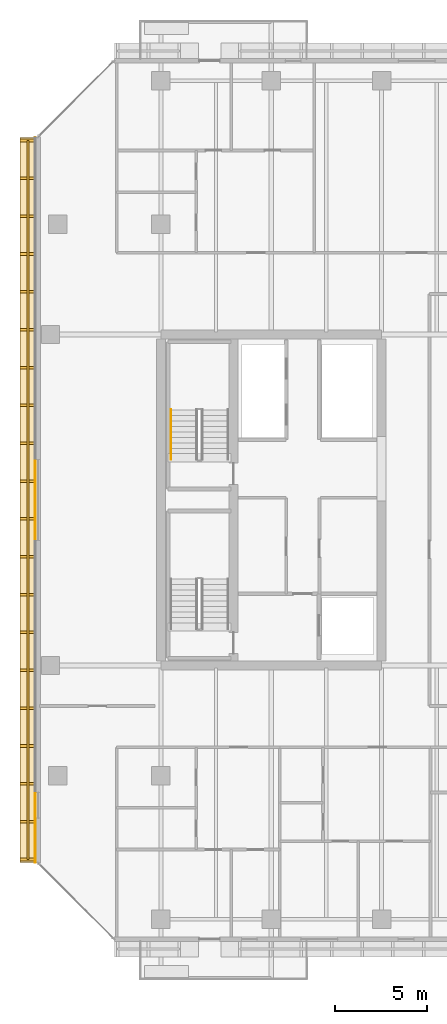
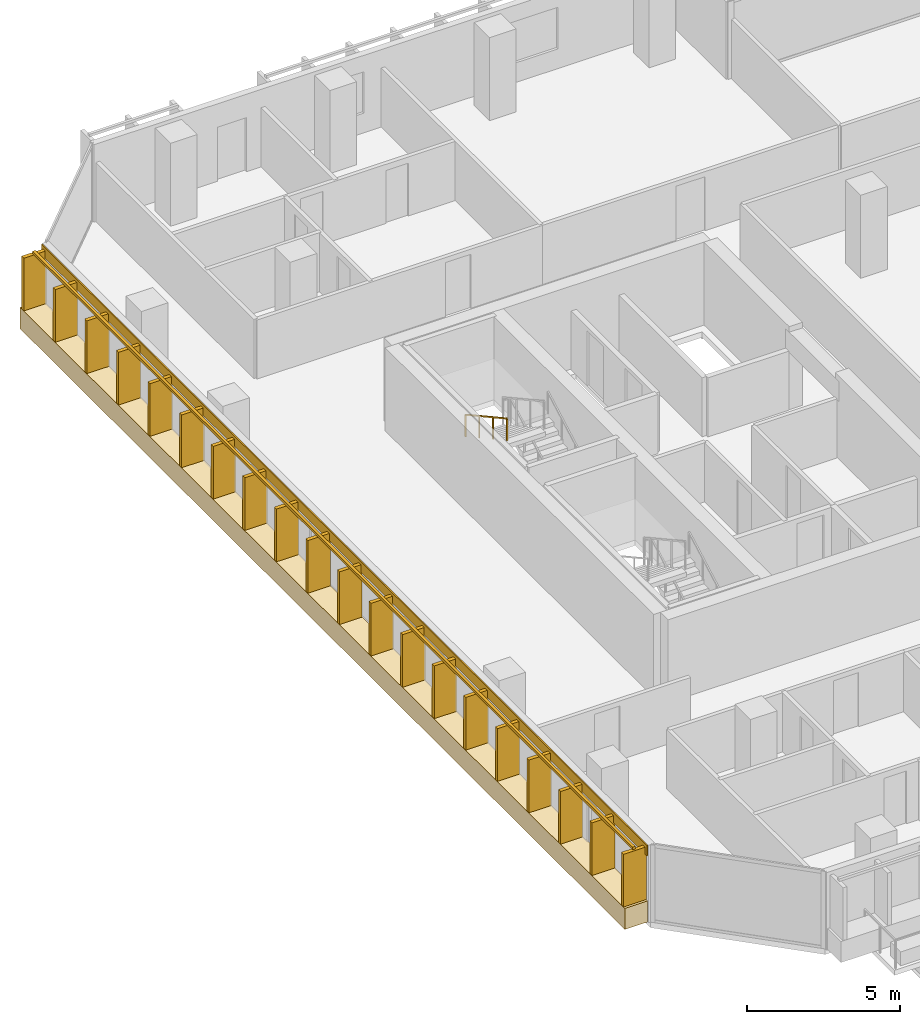
# One storey, part 31 of 35: 2 coverings, 2 railings.
"""IFC4 building model written with IfcOpenShell, lengths in metres."""

import ifcopenshell
import ifcopenshell.guid

model = None  # the IFC model being written
_history = None  # IfcOwnerHistory: only IFC2X3 demands one
_inside = {}  # id of a spatial element -> (the spatial element, [elements in it])
_under = {}  # id of a project, library or spatial element -> (it, [spatial elements below it])
_declared = {}  # id of a project -> (the project, [libraries it declares])
_typed = {}  # id of a type object -> (the type object, [elements of that type])
_made_of = {}  # id of a material, layer set ... -> (it, [elements and type objects made of it])


def new_model(schema):
    """Start an empty IFC model of exactly this schema.

    Asked for "IFC4X3", IfcOpenShell would pick the latest addendum, in which some entities
    have other attributes; the version numbers below select the first issue.
    IFC2X3 requires an IfcOwnerHistory on every rooted entity: one is made here for all.
    """
    global model, _history
    if schema == "IFC4X3":
        model = ifcopenshell.file(schema_version=(4, 3, 0, 0))
    else:
        model = ifcopenshell.file(schema=schema)
    _inside.clear()
    _under.clear()
    _declared.clear()
    _typed.clear()
    _made_of.clear()
    _history = None
    if model.schema == "IFC2X3":
        org = make("IfcOrganization", Name="unknown")
        user = make(
            "IfcPersonAndOrganization",
            ThePerson=make("IfcPerson", FamilyName="unknown"),
            TheOrganization=org,
        )
        app = make(
            "IfcApplication",
            ApplicationDeveloper=org,
            Version="unknown",
            ApplicationFullName="unknown",
            ApplicationIdentifier="unknown",
        )
        _history = make(
            "IfcOwnerHistory",
            OwningUser=user,
            OwningApplication=app,
            ChangeAction="ADDED",
            CreationDate=0,
        )
    return model


def make(cls, **values):
    """One entity of the class cls with the attributes given. An attribute that is None is left unset."""
    return model.create_entity(
        cls, **{name: value for name, value in values.items() if value is not None}
    )


def rooted(cls, **values):
    """An entity with a GlobalId (a new one), such as an element, a storey or a relation."""
    return make(cls, GlobalId=ifcopenshell.guid.new(), OwnerHistory=_history, **values)


def si_unit(unit_type, name, prefix=None):
    """IfcSIUnit, for example si_unit("LENGTHUNIT", "METRE", prefix="MILLI")."""
    return make("IfcSIUnit", UnitType=unit_type, Prefix=prefix, Name=name)


def assignment(units):
    """IfcUnitAssignment: the units of a project."""
    return None if units is None else make("IfcUnitAssignment", Units=units)


def point(xyz):
    """IfcCartesianPoint."""
    return None if xyz is None else make("IfcCartesianPoint", Coordinates=xyz)


def direction(xyz):
    """IfcDirection."""
    return None if xyz is None else make("IfcDirection", DirectionRatios=xyz)


def frame(location, z_axis=None, x_axis=None):
    """IfcAxis2Placement3D, a coordinate frame: its origin and axes. An axis left out is left unset."""
    return make(
        "IfcAxis2Placement3D",
        Location=point(location),
        Axis=direction(z_axis),
        RefDirection=direction(x_axis),
    )


def frame_2d(location, x_axis=None):
    """IfcAxis2Placement2D, a coordinate frame in the plane: its origin and x axis."""
    return make(
        "IfcAxis2Placement2D", Location=point(location), RefDirection=direction(x_axis)
    )


def origin():
    """The frame at (0, 0, 0) with its axes left unset."""
    return frame((0.0, 0.0, 0.0))


def origin_2d():
    """The frame at (0, 0) in the plane with its x axis left unset."""
    return frame_2d((0.0, 0.0))


def place(relative_to, where):
    """IfcLocalPlacement: puts the frame where relative to a parent placement (None: the world)."""
    return make(
        "IfcLocalPlacement", PlacementRelTo=relative_to, RelativePlacement=where
    )


def context(
    kind, dimensions, precision=None, world=None, true_north=None, identifier=None
):
    """IfcGeometricRepresentationContext, for example the 3D "Model" context."""
    return make(
        "IfcGeometricRepresentationContext",
        ContextIdentifier=identifier,
        ContextType=kind,
        CoordinateSpaceDimension=dimensions,
        Precision=precision,
        WorldCoordinateSystem=world,
        TrueNorth=true_north,
    )


def subcontext(parent, identifier, kind, view, scale=None):
    """IfcGeometricRepresentationSubContext, for example "Body" below "Model"."""
    return make(
        "IfcGeometricRepresentationSubContext",
        ContextIdentifier=identifier,
        ContextType=kind,
        ParentContext=parent,
        TargetScale=scale,
        TargetView=view,
    )


def project(units=None, contexts=None):
    """IfcProject with its units and contexts."""
    return rooted(
        "IfcProject",
        Name="project",
        RepresentationContexts=contexts,
        UnitsInContext=assignment(units),
    )


def spatial(cls, under=None, at=None, **own):
    """A site, building, storey or space (cls), placed at a placement, below another one or the project."""
    s = rooted(cls, ObjectPlacement=at, **own)
    if under is not None:
        _under.setdefault(under.id(), (under, []))[1].append(s)
    return s


def profile(cls, at=None, kind="AREA", **sizes):
    """A parametric profile (cls). Its sizes go by their IFC names, for example OverallWidth=200.0."""
    return make(cls, ProfileType=kind, Position=at, **sizes)


def rectangle(**sizes):
    """IfcRectangleProfileDef."""
    return profile("IfcRectangleProfileDef", **sizes)


def extrude(swept, where, along, depth):
    """IfcExtrudedAreaSolid: the profile swept, set in the frame where, extruded along a direction by depth."""
    return make(
        "IfcExtrudedAreaSolid",
        SweptArea=swept,
        Position=where,
        ExtrudedDirection=direction(along),
        Depth=depth,
    )


def shape(context_of_items, identifier, shape_type, items):
    """IfcShapeRepresentation: the items that make up one representation, for example the "Body"."""
    return make(
        "IfcShapeRepresentation",
        ContextOfItems=context_of_items,
        RepresentationIdentifier=identifier,
        RepresentationType=shape_type,
        Items=items,
    )


def material(Name=None, Category=None):
    """IfcMaterial."""
    return make("IfcMaterial", Name=Name, Category=Category)


def layer(
    of_material, thickness, ventilated=None, Name=None, Category=None, Priority=None
):
    """IfcMaterialLayer: one layer of a wall or slab, of a material (None: an air gap)."""
    return make(
        "IfcMaterialLayer",
        Material=of_material,
        LayerThickness=thickness,
        IsVentilated=ventilated,
        Name=Name,
        Category=Category,
        Priority=Priority,
    )


def layer_set(layers, Name=None):
    """IfcMaterialLayerSet."""
    return make("IfcMaterialLayerSet", MaterialLayers=layers, LayerSetName=Name)


def made_of(thing, what):
    """Note that an element or type object is made of a material, layer set ...; save() writes the relation."""
    if what is not None:
        _made_of.setdefault(what.id(), (what, []))[1].append(thing)
    return thing


def type_object(cls, material=None, **own):
    """A type object (cls), such as IfcWallType, which elements share."""
    return made_of(rooted(cls, **own), material)


def element(
    cls,
    number,
    at=None,
    inside=None,
    cuts=None,
    type_object=None,
    material=None,
    context=None,
    identifier="Body",
    shape_type=None,
    held_by="IfcProductDefinitionShape",
    body=None,
    shapes=None,
    **own,
):
    """One element of the class cls, such as IfcWall. Its Tag is "e" and its number.

    at: its placement. inside: the storey or other place that contains it. cuts: it is an
    opening in that element (IfcRelVoidsElement). A single representation is given by context,
    identifier, shape_type and body (its items); several are given by shapes. held_by: the class
    of the entity that holds the representations. save() writes the other relations.
    """
    e = rooted(cls, Tag="e%d" % number, ObjectPlacement=at, **own)
    if body is not None:
        shapes = [shape(context, identifier, shape_type, body)]
    if shapes is not None:
        e.Representation = make(held_by, Representations=shapes)
    if inside is not None:
        _inside.setdefault(inside.id(), (inside, []))[1].append(e)
    if cuts is not None:
        rooted(
            "IfcRelVoidsElement", RelatingBuildingElement=cuts, RelatedOpeningElement=e
        )
    if type_object is not None:
        _typed.setdefault(type_object.id(), (type_object, []))[1].append(e)
    return made_of(e, material)


def aggregate(whole, parts):
    """IfcRelAggregates: a whole, such as a stair, and the parts it consists of."""
    return rooted("IfcRelAggregates", RelatingObject=whole, RelatedObjects=parts)


def save(model, path):
    """Write the relations noted so far, then the file.

    IfcRelAggregates (storeys below a building ...), IfcRelContainedInSpatialStructure (elements
    in a storey), IfcRelDefinesByType, IfcRelAssociatesMaterial and IfcRelDeclares: one each for
    every whole, place, type object, material and project.
    """
    for whole, parts in _under.values():
        aggregate(whole, parts)
    for where, things in _inside.values():
        rooted(
            "IfcRelContainedInSpatialStructure",
            RelatedElements=things,
            RelatingStructure=where,
        )
    for kind, things in _typed.values():
        rooted("IfcRelDefinesByType", RelatedObjects=things, RelatingType=kind)
    for what, things in _made_of.values():
        rooted("IfcRelAssociatesMaterial", RelatedObjects=things, RelatingMaterial=what)
    for by, libraries in _declared.values():
        rooted("IfcRelDeclares", RelatingContext=by, RelatedDefinitions=libraries)
    model.write(path)


model = new_model("IFC4")

# Units and contexts
model_context = context("Model", 3, precision=1e-05, world=origin(), true_north=direction((0.0, 1.0)))
body_context = subcontext(model_context, "Body", "Model", "MODEL_VIEW")
ifc_project = project(units=[si_unit("LENGTHUNIT", "METRE"), si_unit("AREAUNIT", "SQUARE_METRE"), si_unit("VOLUMEUNIT", "CUBIC_METRE"), si_unit("PLANEANGLEUNIT", "RADIAN"), si_unit("MASSUNIT", "GRAM", prefix="KILO")], contexts=[model_context])

# Site, building, storey
site_placement = place(None, origin())
site = spatial("IfcSite", under=ifc_project, at=site_placement, CompositionType="ELEMENT")
building_placement = place(site_placement, origin())
building = spatial("IfcBuilding", under=site, at=building_placement, Name="Tanjung Sevakor Pilgrim Tower", CompositionType="ELEMENT")
storey_placement = place(building_placement, frame((0.0, 0.0, 92.070068359375)))
storey = spatial("IfcBuildingStorey", under=building, at=storey_placement, Name="L25", CompositionType="ELEMENT", Elevation=92.070068359375)

# Coverings
ifc_material_1 = material(Name="Reconstructed Limestone Cladding", Category="masonry")
ifc_layer = layer(ifc_material_1, 0.044921875)
ifc_layer_set = layer_set([ifc_layer], Name="COV-CLAD-LIMESTONE")
covering_type = type_object("IfcCoveringType", Name="COV-CLAD-LIMESTONE", PredefinedType="CLADDING", material=ifc_layer_set)
covering_1_placement = place(storey_placement, frame((16.77001953125, 33.60009765625, 0.009765625), z_axis=(0.0, 0.0, 1.0), x_axis=(0.0, -1.0, 0.0)))
element("IfcCovering", 1, at=covering_1_placement, inside=storey, type_object=covering_type, Name="L25 Warm Limestone Sill Spandrel EW-L25-MAIN-15-1", PredefinedType="CLADDING", context=body_context, shape_type="SweptSolid", body=[
    extrude(rectangle(XDim=39.41650390625, YDim=0.860107421875, at=origin_2d()), origin(), (0.0, 0.0, 1.0), 0.840087890625),
])
covering_2_placement = place(storey_placement, frame((17.177490234375, 33.60009765625, 2.66015625), z_axis=(0.0, 0.0, 1.0), x_axis=(0.0, -1.0, 0.0)))
element("IfcCovering", 2, at=covering_2_placement, inside=storey, type_object=covering_type, Name="L25 Warm Limestone Cornice Spandrel EW-L25-MAIN-15", PredefinedType="CLADDING", context=body_context, shape_type="SweptSolid", body=[
    extrude(rectangle(XDim=39.456298828125, YDim=0.044921875, at=origin_2d()), origin(), (0.0, 0.0, 1.0), 0.409912109375),
])

# Railings
ifc_material_2 = material(Name="Anodised Bronze Aluminium 6063-T6", Category="aluminium")
railing_type_1 = type_object("IfcRailingType", Name="RL-FIN-SCREEN", PredefinedType="BALUSTRADE", material=ifc_material_2)
railing_1_placement = place(storey_placement, frame((16.77490234375, 53.148193359375, 0.83984375)))
element("IfcRailing", 3, at=railing_1_placement, inside=storey, type_object=railing_type_1, Name="L25 Vertical Bronze-Gold Solar Fin Screen FNEND-EW-L25-MAIN-15-1", PredefinedType="BALUSTRADE", context=body_context, shape_type="SweptSolid", body=[
    extrude(rectangle(XDim=0.105, YDim=0.105), frame((0.0, 0.0, 2.157470703125), z_axis=(0.0, -1.0, 0.0), x_axis=(1.0, 0.0, 0.0)), (0.0, 0.0, 1.0), 39.096435546875),
    extrude(rectangle(XDim=0.85, YDim=0.14), origin(), (0.0, 0.0, 1.0), 2.10498046875),
    extrude(rectangle(XDim=0.85, YDim=0.14), frame((0.0, -2.0576171875, 0.0)), (0.0, 0.0, 1.0), 2.10498046875),
    extrude(rectangle(XDim=0.85, YDim=0.14), frame((0.0, -4.115478515625, 0.0)), (0.0, 0.0, 1.0), 2.10498046875),
    extrude(rectangle(XDim=0.85, YDim=0.14), frame((0.0, -6.173095703125, 0.0)), (0.0, 0.0, 1.0), 2.10498046875),
    extrude(rectangle(XDim=0.85, YDim=0.14), frame((0.0, -8.230712890625, 0.0)), (0.0, 0.0, 1.0), 2.10498046875),
    extrude(rectangle(XDim=0.85, YDim=0.14), frame((0.0, -10.28857421875, 0.0)), (0.0, 0.0, 1.0), 2.10498046875),
    extrude(rectangle(XDim=0.85, YDim=0.14), frame((0.0, -12.34619140625, 0.0)), (0.0, 0.0, 1.0), 2.10498046875),
    extrude(rectangle(XDim=0.85, YDim=0.14), frame((0.0, -14.404052734375, 0.0)), (0.0, 0.0, 1.0), 2.10498046875),
    extrude(rectangle(XDim=0.85, YDim=0.14), frame((0.0, -16.461669921875, 0.0)), (0.0, 0.0, 1.0), 2.10498046875),
    extrude(rectangle(XDim=0.85, YDim=0.14), frame((0.0, -18.519287109375, 0.0)), (0.0, 0.0, 1.0), 2.10498046875),
    extrude(rectangle(XDim=0.85, YDim=0.14), frame((0.0, -20.5771484375, 0.0)), (0.0, 0.0, 1.0), 2.10498046875),
    extrude(rectangle(XDim=0.85, YDim=0.14), frame((0.0, -22.634765625, 0.0)), (0.0, 0.0, 1.0), 2.10498046875),
    extrude(rectangle(XDim=0.85, YDim=0.14), frame((0.0, -24.6923828125, 0.0)), (0.0, 0.0, 1.0), 2.10498046875),
    extrude(rectangle(XDim=0.85, YDim=0.14), frame((0.0, -26.750244140625, 0.0)), (0.0, 0.0, 1.0), 2.10498046875),
    extrude(rectangle(XDim=0.85, YDim=0.14), frame((0.0, -28.807861328125, 0.0)), (0.0, 0.0, 1.0), 2.10498046875),
    extrude(rectangle(XDim=0.85, YDim=0.14), frame((0.0, -30.86572265625, 0.0)), (0.0, 0.0, 1.0), 2.10498046875),
    extrude(rectangle(XDim=0.85, YDim=0.14), frame((0.0, -32.92333984375, 0.0)), (0.0, 0.0, 1.0), 2.10498046875),
    extrude(rectangle(XDim=0.85, YDim=0.14), frame((0.0, -34.98095703125, 0.0)), (0.0, 0.0, 1.0), 2.10498046875),
    extrude(rectangle(XDim=0.85, YDim=0.14), frame((0.0, -37.038818359375, 0.0)), (0.0, 0.0, 1.0), 2.10498046875),
    extrude(rectangle(XDim=0.85, YDim=0.14), frame((0.0, -39.096435546875, 0.0)), (0.0, 0.0, 1.0), 2.10498046875),
])
ifc_material_3 = material(Name="Steel S355J2", Category="steel")
railing_type_2 = type_object("IfcRailingType", Name="RL-STAIR-HAND", PredefinedType="HANDRAIL", material=ifc_material_3)
railing_2_placement = place(storey_placement, frame((24.550048828125, 38.5, 1.81494140625)))
element("IfcRailing", 4, at=railing_2_placement, inside=storey, type_object=railing_type_2, Name="L25 TS-W2 stair handrail 2", PredefinedType="HANDRAIL", context=body_context, shape_type="SweptSolid", body=[
    extrude(rectangle(XDim=0.0479, YDim=0.0479), frame((0.0, 0.0, 0.8759765625), z_axis=(0.0, -0.876197507361, 0.481952205197), x_axis=(1.0, 0.0, 0.0)), (0.0, 0.0, 1.0), 3.08154296875),
    extrude(rectangle(XDim=0.042, YDim=0.042), origin(), (0.0, 0.0, 1.0), 0.851806640625),
    extrude(rectangle(XDim=0.042, YDim=0.042), frame((0.0, -0.89990234375, 0.4951171875)), (0.0, 0.0, 1.0), 0.851806640625),
    extrude(rectangle(XDim=0.042, YDim=0.042), frame((0.0, -1.800048828125, 0.989990234375)), (0.0, 0.0, 1.0), 0.851806640625),
    extrude(rectangle(XDim=0.042, YDim=0.042), frame((0.0, -2.699951171875, 1.485107421875)), (0.0, 0.0, 1.0), 0.851806640625),
])

save(model, "model.ifc")
